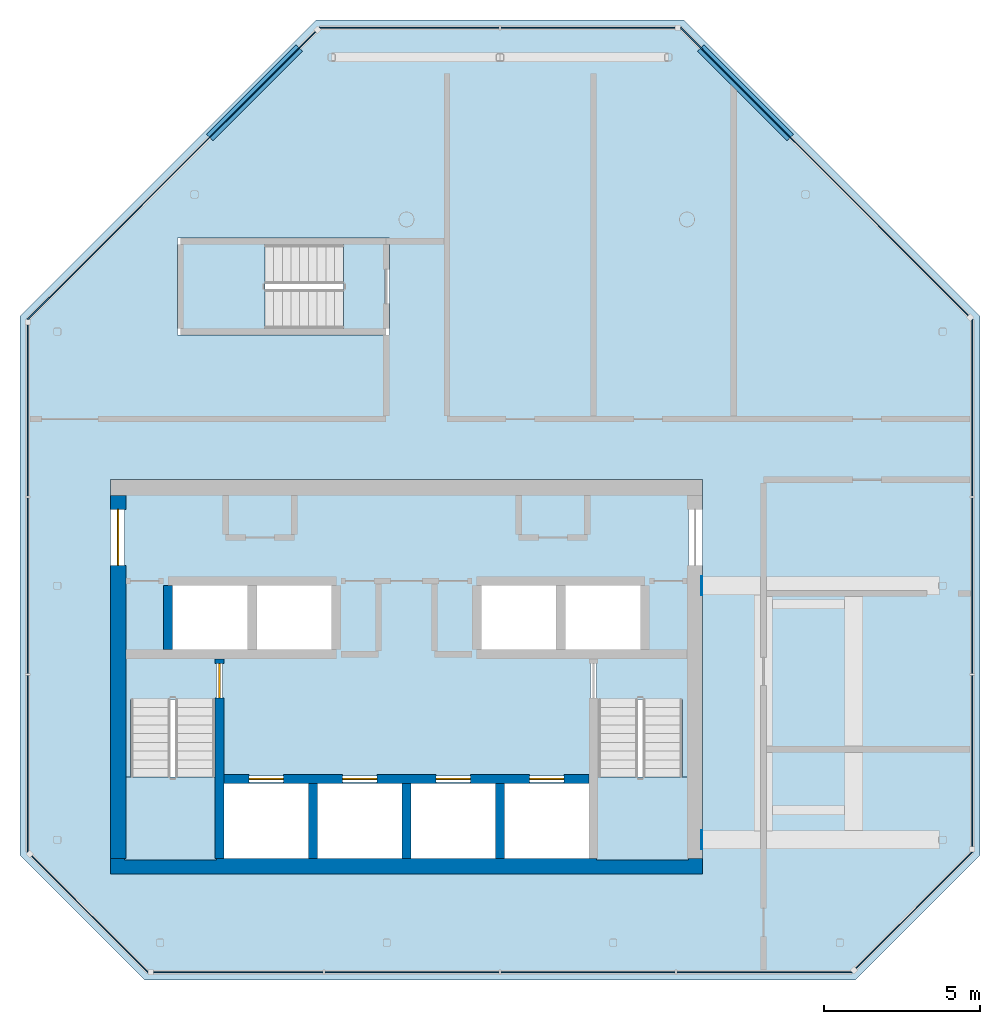
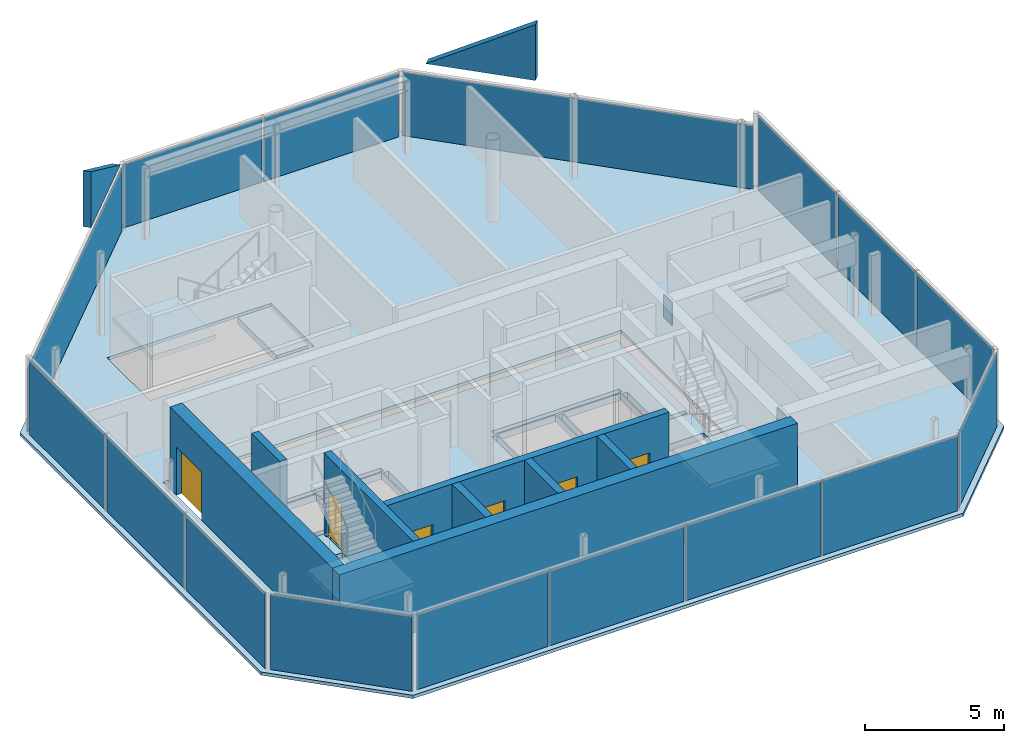
# One storey, part 4 of 7: 20 plates, 8 walls, 6 doors, 6 slabs, 6 openings, 11 elements without a shape of their own.
"""IFC4 building model written with IfcOpenShell, lengths in metres."""

from ifc_helpers import new_model, si_unit, direction, frame, frame_2d, origin, origin_2d, place, context, subcontext, project, spatial, polyline, rectangle, outline, extrude, material, layer, layer_set, material_profile, profile_set, type_object, element, fill, aggregate, save


model = new_model("IFC4")

# Units and contexts
model_context = context("Model", 3, precision=1e-05, world=origin(), true_north=direction((0.0, 1.0)))
body_context = subcontext(model_context, "Body", "Model", "MODEL_VIEW")
ifc_project = project(units=[si_unit("LENGTHUNIT", "METRE"), si_unit("AREAUNIT", "SQUARE_METRE"), si_unit("VOLUMEUNIT", "CUBIC_METRE"), si_unit("PLANEANGLEUNIT", "RADIAN"), si_unit("MASSUNIT", "GRAM", prefix="KILO")], contexts=[model_context])

# Site, building, storey
site_placement = place(None, origin())
site = spatial("IfcSite", under=ifc_project, at=site_placement, CompositionType="ELEMENT")
building_placement = place(site_placement, origin())
building = spatial("IfcBuilding", under=site, at=building_placement, Name="Tskaro Facet Tower", CompositionType="ELEMENT")
storey_placement = place(building_placement, frame((0.0, 0.0, 297.300048828125)))
storey = spatial("IfcBuildingStorey", under=building, at=storey_placement, Name="L80", CompositionType="ELEMENT", Elevation=297.300048828125)

# Slab
ifc_material_1 = material(Name="Concrete C30/37", Category="concrete")
ifc_layer_1 = layer(ifc_material_1, 0.139892578125, Name="Concrete C30/37")
ifc_layer_set_1 = layer_set([ifc_layer_1], Name="Concrete C30/37")
slab_type_1 = type_object("IfcSlabType", Name="Composite deck floor slab", PredefinedType="FLOOR", material=ifc_layer_set_1)
slab_1_placement = place(storey_placement, frame((0.0, 0.0, -0.14013671875)))
element("IfcSlab", 1, at=slab_1_placement, inside=storey, type_object=slab_type_1, Name="Floor slab L80", PredefinedType="FLOOR", context=body_context, shape_type="SweptSolid", body=[
    extrude(outline(polyline([(-12.39990234375, 5.89990234375), (-2.89990234375, 15.39990234375), (8.89990234375, 15.39990234375), (18.39990234375, 5.89990234375), (18.39990234375, -11.39990234375), (14.39990234375, -15.39990234375), (-8.39990234375, -15.39990234375), (-12.39990234375, -11.39990234375), (-12.39990234375, 5.89990234375)]), holes=[polyline([(9.5, 0.64990234375), (-9.5, 0.64990234375), (-9.5, -12.0), (9.5, -12.0), (9.5, 0.64990234375)]), polyline([(-0.550048828125, 5.300048828125), (-0.550048828125, 8.39990234375), (-7.35009765625, 8.39990234375), (-7.35009765625, 5.300048828125), (-0.550048828125, 5.300048828125)])]), origin(), (0.0, 0.0, 1.0), 0.14013671875),
])

# Plates
ifc_material_2 = material(Name="Bronze anodised aluminium cladding 5005-H34", Category="aluminium")
ifc_layer_2 = layer(ifc_material_2, 0.300048828125, Name="Bronze anodised aluminium cladding 5005-H34")
ifc_layer_set_2 = layer_set([ifc_layer_2], Name="Bronze anodised aluminium cladding 5005-H34")
plate_type_1 = type_object("IfcPlateType", Name="Crown cladding panel", PredefinedType="SHEET", material=ifc_layer_set_2)
plate_1_placement = place(storey_placement, frame((12.3173828125, 11.628662109375, 3.39990234375), z_axis=(0.0, 0.0, 1.0), x_axis=(-0.707106781187, 0.707106781187, 0.0)))
element("IfcPlate", 2, at=plate_1_placement, inside=storey, type_object=plate_type_1, Name="Crown cladding panel north-east L80", PredefinedType="SHEET", context=body_context, shape_type="SweptSolid", body=[
    extrude(outline(polyline([(0.0, 0.0), (4.06494140625, 0.0), (4.064697265625, 0.010009765625), (0.0, 2.452880859375), (0.0, 0.0)])), frame((0.0, 0.14990234375, 0.0), z_axis=(0.0, -1.0, 0.0), x_axis=(1.0, 0.0, 0.0)), (0.0, 0.0, 1.0), 0.300048828125),
])
plate_2_placement = place(storey_placement, frame((-3.443115234375, 14.5029296875, 3.39990234375), z_axis=(0.0, 0.0, 1.0), x_axis=(-0.707106781187, -0.707106781187, 0.0)))
element("IfcPlate", 3, at=plate_2_placement, inside=storey, type_object=plate_type_1, Name="Crown cladding panel north-west L80", PredefinedType="SHEET", context=body_context, shape_type="SweptSolid", body=[
    extrude(outline(polyline([(0.0, 0.0), (4.06494140625, 0.0), (4.064697265625, 2.452880859375), (0.0, 0.010009765625), (0.0, 0.0)])), frame((0.0, 0.14990234375, 0.0), z_axis=(0.0, -1.0, 0.0), x_axis=(1.0, 0.0, 0.0)), (0.0, 0.0, 1.0), 0.300048828125),
])

# Curtain wall, plates
ifc_material_3 = material(Name="Bronze anodised aluminium 6063-T6", Category="aluminium")
curtain_wall_type = type_object("IfcCurtainWallType", Name="Bronze crown curtain wall (FW5)", PredefinedType="NOTDEFINED", material=ifc_material_3)
curtain_wall_1_placement = place(storey_placement, origin())
curtain_wall_1 = element("IfcCurtainWall", 4, at=curtain_wall_1_placement, inside=storey, type_object=curtain_wall_type, Name="FW5 south facet L80", PredefinedType="NOTDEFINED")
ifc_material_4 = material(Name="Bronze reflective glass", Category="glass")
ifc_layer_3 = layer(ifc_material_4, 0.033935546875, Name="Bronze reflective glass")
ifc_layer_set_3 = layer_set([ifc_layer_3], Name="Bronze reflective glass")
plate_type_2 = type_object("IfcPlateType", Name="FW5 bronze-tinted unit glazing 34", PredefinedType="CURTAIN_PANEL", material=ifc_layer_set_3)
plate_3_placement = place(storey_placement, frame((-5.3994140625, -15.14990234375, 0.0), z_axis=(0.0, 0.0, 1.0), x_axis=(1.0, 0.0, 0.0)))
plate_3 = element("IfcPlate", 5, at=plate_3_placement, type_object=plate_type_2, Name="FW5 south glazing 1.1", PredefinedType="CURTAIN_PANEL", context=body_context, shape_type="SweptSolid", body=[
    extrude(rectangle(XDim=5.43310546875, YDim=0.033935546875, at=origin_2d()), origin(), (0.0, 0.0, 1.0), 3.2900390625),
])
plate_4_placement = place(storey_placement, frame((0.176025390625, -15.14990234375, 0.0), z_axis=(0.0, 0.0, 1.0), x_axis=(1.0, 0.0, 0.0)))
plate_4 = element("IfcPlate", 6, at=plate_4_placement, type_object=plate_type_2, Name="FW5 south glazing 2.1", PredefinedType="CURTAIN_PANEL", context=body_context, shape_type="SweptSolid", body=[
    extrude(rectangle(XDim=5.577880859375, YDim=0.033935546875, at=origin_2d()), origin(), (0.0, 0.0, 1.0), 3.2900390625),
])
plate_5_placement = place(storey_placement, frame((5.823974609375, -15.14990234375, 0.0), z_axis=(0.0, 0.0, 1.0), x_axis=(1.0, 0.0, 0.0)))
plate_5 = element("IfcPlate", 7, at=plate_5_placement, type_object=plate_type_2, Name="FW5 south glazing 3.1", PredefinedType="CURTAIN_PANEL", context=body_context, shape_type="SweptSolid", body=[
    extrude(rectangle(XDim=5.577880859375, YDim=0.033935546875, at=origin_2d()), origin(), (0.0, 0.0, 1.0), 3.2900390625),
])
plate_6_placement = place(storey_placement, frame((11.489501953125, -15.14990234375, 0.0), z_axis=(0.0, 0.0, 1.0), x_axis=(1.0, 0.0, 0.0)))
plate_6 = element("IfcPlate", 8, at=plate_6_placement, type_object=plate_type_2, Name="FW5 south glazing 4.1", PredefinedType="CURTAIN_PANEL", context=body_context, shape_type="SweptSolid", body=[
    extrude(rectangle(XDim=5.613037109375, YDim=0.033935546875, at=origin_2d()), origin(), (0.0, 0.0, 1.0), 3.2900390625),
])
aggregate(curtain_wall_1, [plate_3, plate_4, plate_5, plate_6])

# Curtain wall, plate
curtain_wall_2_placement = place(storey_placement, origin())
curtain_wall_2 = element("IfcCurtainWall", 9, at=curtain_wall_2_placement, inside=storey, type_object=curtain_wall_type, Name="FW5 south-east facet L80", PredefinedType="NOTDEFINED")
plate_7_placement = place(storey_placement, frame((16.28662109375, -13.159423828125, 0.0), z_axis=(0.0, 0.0, 1.0), x_axis=(0.707106781187, 0.707106781187, 0.0)))
plate_7 = element("IfcPlate", 10, at=plate_7_placement, type_object=plate_type_2, Name="FW5 south-east glazing 1.1", PredefinedType="CURTAIN_PANEL", context=body_context, shape_type="SweptSolid", body=[
    extrude(rectangle(XDim=5.270263671875, YDim=0.033935546875, at=origin_2d()), origin(), (0.0, 0.0, 1.0), 3.2900390625),
])
aggregate(curtain_wall_2, [plate_7])

# Curtain wall, plates
curtain_wall_3_placement = place(storey_placement, origin())
curtain_wall_3 = element("IfcCurtainWall", 11, at=curtain_wall_3_placement, inside=storey, type_object=curtain_wall_type, Name="FW5 east facet L80", PredefinedType="NOTDEFINED")
plate_8_placement = place(storey_placement, frame((18.14990234375, -8.374755859375, 0.0), z_axis=(0.0, 0.0, 1.0), x_axis=(0.0, 1.0, 0.0)))
plate_8 = element("IfcPlate", 12, at=plate_8_placement, type_object=plate_type_2, Name="FW5 east glazing 1.1", PredefinedType="CURTAIN_PANEL", context=body_context, shape_type="SweptSolid", body=[
    extrude(rectangle(XDim=5.482421875, YDim=0.033935546875, at=origin_2d()), origin(), (0.0, 0.0, 1.0), 3.2900390625),
])
plate_9_placement = place(storey_placement, frame((18.14990234375, -2.75, 0.0), z_axis=(0.0, 0.0, 1.0), x_axis=(0.0, 1.0, 0.0)))
plate_9 = element("IfcPlate", 13, at=plate_9_placement, type_object=plate_type_2, Name="FW5 east glazing 2.1", PredefinedType="CURTAIN_PANEL", context=body_context, shape_type="SweptSolid", body=[
    extrude(rectangle(XDim=5.62744140625, YDim=0.033935546875, at=origin_2d()), origin(), (0.0, 0.0, 1.0), 3.2900390625),
])
plate_10_placement = place(storey_placement, frame((18.14990234375, 2.96484375, 0.0), z_axis=(0.0, 0.0, 1.0), x_axis=(0.0, 1.0, 0.0)))
plate_10 = element("IfcPlate", 14, at=plate_10_placement, type_object=plate_type_2, Name="FW5 east glazing 3.1", PredefinedType="CURTAIN_PANEL", context=body_context, shape_type="SweptSolid", body=[
    extrude(rectangle(XDim=5.662353515625, YDim=0.033935546875, at=origin_2d()), origin(), (0.0, 0.0, 1.0), 3.2900390625),
])
aggregate(curtain_wall_3, [plate_8, plate_9, plate_10])

# Curtain wall, plate
curtain_wall_4_placement = place(storey_placement, origin())
curtain_wall_4 = element("IfcCurtainWall", 15, at=curtain_wall_4_placement, inside=storey, type_object=curtain_wall_type, Name="FW5 north-east facet L80", PredefinedType="NOTDEFINED")
plate_11_placement = place(storey_placement, frame((13.409423828125, 10.53662109375, 0.0), z_axis=(0.0, 0.0, 1.0), x_axis=(-0.707106781187, 0.707106781187, 0.0)))
plate_11 = element("IfcPlate", 16, at=plate_11_placement, type_object=plate_type_2, Name="FW5 north-east glazing 1.1", PredefinedType="CURTAIN_PANEL", context=body_context, shape_type="SweptSolid", body=[
    extrude(rectangle(XDim=13.048583984375, YDim=0.033935546875, at=origin_2d()), origin(), (0.0, 0.0, 1.0), 2.7900390625),
])
aggregate(curtain_wall_4, [plate_11])

# Curtain wall, plates
curtain_wall_5_placement = place(storey_placement, origin())
curtain_wall_5 = element("IfcCurtainWall", 17, at=curtain_wall_5_placement, inside=storey, type_object=curtain_wall_type, Name="FW5 north facet L80", PredefinedType="NOTDEFINED")
plate_12_placement = place(storey_placement, frame((5.825439453125, 15.14990234375, 0.0), z_axis=(0.0, 0.0, 1.0), x_axis=(-1.0, 0.0, 0.0)))
plate_12 = element("IfcPlate", 18, at=plate_12_placement, type_object=plate_type_2, Name="FW5 north glazing 1.1", PredefinedType="CURTAIN_PANEL", context=body_context, shape_type="SweptSolid", body=[
    extrude(rectangle(XDim=5.5810546875, YDim=0.033935546875, at=origin_2d()), origin(), (0.0, 0.0, 1.0), 2.7900390625),
])
plate_13_placement = place(storey_placement, frame((0.08447265625, 15.14990234375, 0.0), z_axis=(0.0, 0.0, 1.0), x_axis=(-1.0, 0.0, 0.0)))
plate_13 = element("IfcPlate", 19, at=plate_13_placement, type_object=plate_type_2, Name="FW5 north glazing 2.1", PredefinedType="CURTAIN_PANEL", context=body_context, shape_type="SweptSolid", body=[
    extrude(rectangle(XDim=5.760986328125, YDim=0.033935546875, at=origin_2d()), origin(), (0.0, 0.0, 1.0), 2.7900390625),
])
aggregate(curtain_wall_5, [plate_12, plate_13])

# Curtain wall, plate
curtain_wall_6_placement = place(storey_placement, origin())
curtain_wall_6 = element("IfcCurtainWall", 20, at=curtain_wall_6_placement, inside=storey, type_object=curtain_wall_type, Name="FW5 north-west facet L80", PredefinedType="NOTDEFINED")
plate_14_placement = place(storey_placement, frame((-7.53662109375, 10.409423828125, 0.0), z_axis=(0.0, 0.0, 1.0), x_axis=(-0.707106781187, -0.707106781187, 0.0)))
plate_14 = element("IfcPlate", 21, at=plate_14_placement, type_object=plate_type_2, Name="FW5 north-west glazing 1.1", PredefinedType="CURTAIN_PANEL", context=body_context, shape_type="SweptSolid", body=[
    extrude(rectangle(XDim=13.048583984375, YDim=0.033935546875, at=origin_2d()), origin(), (0.0, 0.0, 1.0), 2.7900390625),
])
aggregate(curtain_wall_6, [plate_14])

# Curtain wall, plates
curtain_wall_7_placement = place(storey_placement, origin())
curtain_wall_7 = element("IfcCurtainWall", 22, at=curtain_wall_7_placement, inside=storey, type_object=curtain_wall_type, Name="FW5 west facet L80", PredefinedType="NOTDEFINED")
plate_15_placement = place(storey_placement, frame((-12.14990234375, 2.874755859375, 0.0), z_axis=(0.0, 0.0, 1.0), x_axis=(0.0, -1.0, 0.0)))
plate_15 = element("IfcPlate", 23, at=plate_15_placement, type_object=plate_type_2, Name="FW5 west glazing 1.1", PredefinedType="CURTAIN_PANEL", context=body_context, shape_type="SweptSolid", body=[
    extrude(rectangle(XDim=5.482421875, YDim=0.033935546875, at=origin_2d()), origin(), (0.0, 0.0, 1.0), 3.2900390625),
])
plate_16_placement = place(storey_placement, frame((-12.14990234375, -2.75, 0.0), z_axis=(0.0, 0.0, 1.0), x_axis=(0.0, -1.0, 0.0)))
plate_16 = element("IfcPlate", 24, at=plate_16_placement, type_object=plate_type_2, Name="FW5 west glazing 2.1", PredefinedType="CURTAIN_PANEL", context=body_context, shape_type="SweptSolid", body=[
    extrude(rectangle(XDim=5.62744140625, YDim=0.033935546875, at=origin_2d()), origin(), (0.0, 0.0, 1.0), 3.2900390625),
])
plate_17_placement = place(storey_placement, frame((-12.14990234375, -8.46484375, 0.0), z_axis=(0.0, 0.0, 1.0), x_axis=(0.0, -1.0, 0.0)))
plate_17 = element("IfcPlate", 25, at=plate_17_placement, type_object=plate_type_2, Name="FW5 west glazing 3.1", PredefinedType="CURTAIN_PANEL", context=body_context, shape_type="SweptSolid", body=[
    extrude(rectangle(XDim=5.662353515625, YDim=0.033935546875, at=origin_2d()), origin(), (0.0, 0.0, 1.0), 3.2900390625),
])
aggregate(curtain_wall_7, [plate_15, plate_16, plate_17])

# Curtain wall, plate
curtain_wall_8_placement = place(storey_placement, origin())
curtain_wall_8 = element("IfcCurtainWall", 26, at=curtain_wall_8_placement, inside=storey, type_object=curtain_wall_type, Name="FW5 south-west facet L80", PredefinedType="NOTDEFINED")
plate_18_placement = place(storey_placement, frame((-10.159423828125, -13.28662109375, 0.0), z_axis=(0.0, 0.0, 1.0), x_axis=(0.707106781187, -0.707106781187, 0.0)))
plate_18 = element("IfcPlate", 27, at=plate_18_placement, type_object=plate_type_2, Name="FW5 south-west glazing 1.1", PredefinedType="CURTAIN_PANEL", context=body_context, shape_type="SweptSolid", body=[
    extrude(rectangle(XDim=5.270263671875, YDim=0.033935546875, at=origin_2d()), origin(), (0.0, 0.0, 1.0), 3.2900390625),
])
aggregate(curtain_wall_8, [plate_18])

# Plates
ifc_material_5 = material(Name="Steel S355J2", Category="steel")
ifc_material_profile = material_profile(ifc_material_5, rectangle(XDim=0.60009765625, YDim=1.0, at=origin_2d()), Name="PL 600x1000x30 end plate")
ifc_profile_set = profile_set([ifc_material_profile], Name="Steel S355J2")
plate_type_3 = type_object("IfcPlateType", Name="PL 600x1000x30 end plate", PredefinedType="SHEET", material=ifc_profile_set)
for number, where, z_axis, x_axis, name in (
    (28, (9.489990234375, -10.903076171875, 2.9599609375), (-1.0, 0.0, 0.0), (0.0, -1.0, 0.0), "End plate CP8-54"),
    (29, (9.489990234375, -2.75, 2.9599609375), (-1.0, 0.0, 0.0), (0.0, -1.0, 0.0), "End plate CP8-55"),
):
    element("IfcPlate", number, at=place(storey_placement, frame(where, z_axis=z_axis, x_axis=x_axis)), inside=storey, type_object=plate_type_3, Name=name, PredefinedType="SHEET", context=body_context, shape_type="SweptSolid", body=[
        extrude(rectangle(XDim=0.60009765625, YDim=1.0, at=origin_2d()), origin(), (0.0, 0.0, 1.0), 0.030029296875),
    ])

# Stair, slab
ifc_material_6 = material(Name="Concrete C40/50", Category="concrete")
stair_type = type_object("IfcStairType", Name="ST-TWR", PredefinedType="HALF_TURN_STAIR", material=ifc_material_6)
stair_1_placement = place(storey_placement, origin())
stair_1 = element("IfcStair", 30, at=stair_1_placement, inside=storey, type_object=stair_type, Name="L80 Exit stair 1", PredefinedType="HALF_TURN_STAIR")
ifc_layer_4 = layer(ifc_material_6, 0.199951171875, Name="Concrete C40/50")
ifc_layer_set_4 = layer_set([ifc_layer_4], Name="Concrete C40/50")
slab_type_2 = type_object("IfcSlabType", Name="SL-LANDING", PredefinedType="LANDING", material=ifc_layer_set_4)
slab_2_placement = place(storey_placement, frame((0.0, 0.0, 1.599853515625)))
slab_2 = element("IfcSlab", 31, at=slab_2_placement, type_object=slab_type_2, Name="ST-1 landing 1", PredefinedType="LANDING", context=body_context, shape_type="SweptSolid", body=[
    extrude(outline(polyline([(-9.050048828125, -11.550048828125), (-6.10009765625, -11.550048828125), (-6.10009765625, -8.89501953125), (-9.050048828125, -8.89501953125), (-9.050048828125, -11.550048828125)])), origin(), (0.0, 0.0, 1.0), 0.2001953125),
])
aggregate(stair_1, [slab_2])

stair_2_placement = place(storey_placement, origin())
stair_2 = element("IfcStair", 32, at=stair_2_placement, inside=storey, type_object=stair_type, Name="L80 Exit stair 2", PredefinedType="HALF_TURN_STAIR")
slab_3_placement = place(storey_placement, frame((0.0, 0.0, 1.599853515625)))
slab_3 = element("IfcSlab", 33, at=slab_3_placement, type_object=slab_type_2, Name="ST-2 landing 1", PredefinedType="LANDING", context=body_context, shape_type="SweptSolid", body=[
    extrude(outline(polyline([(6.10009765625, -11.550048828125), (9.050048828125, -11.550048828125), (9.050048828125, -8.89501953125), (6.10009765625, -8.89501953125), (6.10009765625, -11.550048828125)])), origin(), (0.0, 0.0, 1.0), 0.2001953125),
])
aggregate(stair_2, [slab_3])

stair_3_placement = place(storey_placement, origin())
stair_3 = element("IfcStair", 34, at=stair_3_placement, inside=storey, type_object=stair_type, Name="L80 Exit stair 3", PredefinedType="HALF_TURN_STAIR")
slab_4_placement = place(storey_placement, frame((0.0, 0.0, 1.599853515625)))
slab_4 = element("IfcSlab", 35, at=slab_4_placement, type_object=slab_type_2, Name="ST-3 landing 1", PredefinedType="LANDING", context=body_context, shape_type="SweptSolid", body=[
    extrude(outline(polyline([(-7.199951171875, 5.449951171875), (-4.544921875, 5.449951171875), (-4.544921875, 8.25), (-7.199951171875, 8.25), (-7.199951171875, 5.449951171875)])), origin(), (0.0, 0.0, 1.0), 0.2001953125),
])
aggregate(stair_3, [slab_4])

# Slabs
ifc_material_7 = material(Name="Concrete C60/75", Category="concrete")
ifc_layer_5 = layer(ifc_material_7, 0.300048828125, Name="Concrete C60/75")
ifc_layer_set_5 = layer_set([ifc_layer_5], Name="Concrete C60/75")
slab_type_3 = type_object("IfcSlabType", Name="SLAB-CORE", PredefinedType="FLOOR", material=ifc_layer_set_5)
slab_5_placement = place(storey_placement, frame((0.0, 0.0, -0.300048828125)))
element("IfcSlab", 36, at=slab_5_placement, inside=storey, type_object=slab_type_3, Name="Core floor slab 1", PredefinedType="FLOOR", context=body_context, shape_type="SweptSolid", body=[
    extrude(outline(polyline([(-9.050048828125, 0.199951171875), (9.050048828125, 0.199951171875), (9.050048828125, 0.10009765625), (9.050048828125, -11.449951171875), (9.050048828125, -11.550048828125), (-9.050048828125, -11.550048828125), (-9.050048828125, -11.449951171875), (-9.050048828125, 0.10009765625), (-9.050048828125, 0.199951171875)]), holes=[polyline([(-5.85009765625, -9.10009765625), (-5.85009765625, -11.5), (-3.14990234375, -11.5), (-3.14990234375, -9.10009765625), (-5.85009765625, -9.10009765625)]), polyline([(-3.10009765625, -11.449951171875), (-2.89990234375, -11.449951171875), (-2.89990234375, -9.14990234375), (-3.10009765625, -9.14990234375), (-3.10009765625, -11.449951171875)]), polyline([(-2.85009765625, -9.10009765625), (-2.85009765625, -11.5), (-0.14990234375, -11.5), (-0.14990234375, -9.10009765625), (-2.85009765625, -9.10009765625)]), polyline([(-6.10009765625, -11.449951171875), (-5.89990234375, -11.449951171875), (-5.89990234375, -5.14990234375), (-6.10009765625, -5.14990234375), (-6.10009765625, -11.449951171875)]), polyline([(-8.949951171875, -5.050048828125), (-2.300048828125, -5.050048828125), (-2.300048828125, -4.85009765625), (-8.949951171875, -4.85009765625), (-8.949951171875, -5.050048828125)]), polyline([(-7.75, -4.75), (-7.550048828125, -4.75), (-7.550048828125, -2.800048828125), (-7.75, -2.800048828125), (-7.75, -4.75)]), polyline([(-7.5, -4.800048828125), (-5.10009765625, -4.800048828125), (-5.10009765625, -2.75), (-7.5, -2.75), (-7.5, -4.800048828125)]), polyline([(-5.050048828125, -4.75), (-4.85009765625, -4.75), (-4.85009765625, -2.800048828125), (-5.050048828125, -2.800048828125), (-5.050048828125, -4.75)]), polyline([(-2.39990234375, -4.800048828125), (-2.39990234375, -2.75), (-4.800048828125, -2.75), (-4.800048828125, -4.800048828125), (-2.39990234375, -4.800048828125)]), polyline([(-2.35009765625, -4.75), (-2.14990234375, -4.75), (-2.14990234375, -2.800048828125), (-2.35009765625, -2.800048828125), (-2.35009765625, -4.75)]), polyline([(-7.60009765625, -2.699951171875), (-2.300048828125, -2.699951171875), (-2.300048828125, -2.5), (-7.60009765625, -2.5), (-7.60009765625, -2.699951171875)]), polyline([(-0.10009765625, -11.449951171875), (0.10009765625, -11.449951171875), (0.10009765625, -9.14990234375), (-0.10009765625, -9.14990234375), (-0.10009765625, -11.449951171875)]), polyline([(0.14990234375, -9.10009765625), (0.14990234375, -11.5), (2.85009765625, -11.5), (2.85009765625, -9.10009765625), (0.14990234375, -9.10009765625)]), polyline([(2.89990234375, -11.449951171875), (3.10009765625, -11.449951171875), (3.10009765625, -9.14990234375), (2.89990234375, -9.14990234375), (2.89990234375, -11.449951171875)]), polyline([(3.14990234375, -9.10009765625), (3.14990234375, -11.5), (5.85009765625, -11.5), (5.85009765625, -9.10009765625), (3.14990234375, -9.10009765625)]), polyline([(-5.800048828125, -9.050048828125), (5.800048828125, -9.050048828125), (5.800048828125, -8.85009765625), (-5.800048828125, -8.85009765625), (-5.800048828125, -9.050048828125)]), polyline([(5.89990234375, -11.449951171875), (6.10009765625, -11.449951171875), (6.10009765625, -5.14990234375), (5.89990234375, -5.14990234375), (5.89990234375, -11.449951171875)]), polyline([(2.300048828125, -5.050048828125), (8.949951171875, -5.050048828125), (8.949951171875, -4.85009765625), (2.300048828125, -4.85009765625), (2.300048828125, -5.050048828125)]), polyline([(2.14990234375, -4.75), (2.35009765625, -4.75), (2.35009765625, -2.800048828125), (2.14990234375, -2.800048828125), (2.14990234375, -4.75)]), polyline([(4.800048828125, -2.75), (2.39990234375, -2.75), (2.39990234375, -4.800048828125), (4.800048828125, -4.800048828125), (4.800048828125, -2.75)]), polyline([(4.85009765625, -4.75), (5.050048828125, -4.75), (5.050048828125, -2.800048828125), (4.85009765625, -2.800048828125), (4.85009765625, -4.75)]), polyline([(7.5, -2.75), (5.10009765625, -2.75), (5.10009765625, -4.800048828125), (7.5, -4.800048828125), (7.5, -2.75)]), polyline([(7.550048828125, -4.75), (7.75, -4.75), (7.75, -2.800048828125), (7.550048828125, -2.800048828125), (7.550048828125, -4.75)]), polyline([(2.300048828125, -2.699951171875), (7.60009765625, -2.699951171875), (7.60009765625, -2.5), (2.300048828125, -2.5), (2.300048828125, -2.699951171875)]), polyline([(-8.85009765625, -11.5), (-6.14990234375, -11.5), (-6.14990234375, -6.39501953125), (-8.85009765625, -6.39501953125), (-8.85009765625, -11.5)]), polyline([(6.14990234375, -6.39501953125), (6.14990234375, -11.5), (8.85009765625, -11.5), (8.85009765625, -6.39501953125), (6.14990234375, -6.39501953125)])]), origin(), (0.0, 0.0, 1.0), 0.300048828125),
])
slab_6_placement = place(storey_placement, frame((0.0, 0.0, -0.300048828125)))
element("IfcSlab", 37, at=slab_6_placement, inside=storey, type_object=slab_type_3, Name="Stair 3 floor landing 1", PredefinedType="FLOOR", context=body_context, shape_type="SweptSolid", body=[
    extrude(outline(polyline([(-2.02490234375, 5.449951171875), (-0.699951171875, 5.449951171875), (-0.699951171875, 8.25), (-2.02490234375, 8.25), (-2.02490234375, 5.449951171875)])), origin(), (0.0, 0.0, 1.0), 0.300048828125),
])

# Wall, openings, doors
ifc_layer_6 = layer(ifc_material_7, 0.300048828125, Name="Concrete C60/75")
ifc_layer_set_6 = layer_set([ifc_layer_6], Name="Concrete C60/75")
wall_type_1 = type_object("IfcWallType", Name="CORE-SHAFT", PredefinedType="SHEAR", material=ifc_layer_set_6)
wall_1_placement = place(storey_placement, frame((-5.85009765625, -8.949951171875, 0.0), z_axis=(0.0, 0.0, 1.0), x_axis=(1.0, 0.0, 0.0)))
wall_1 = element("IfcWall", 38, at=wall_1_placement, inside=storey, type_object=wall_type_1, Name="Shaft wall W001", PredefinedType="SHEAR", context=body_context, shape_type="SweptSolid", body=[
    extrude(rectangle(XDim=11.7001953125, YDim=0.300048828125, at=frame_2d((5.85009765625, 0.0))), origin(), (0.0, 0.0, 1.0), 3.599853515625),
])
opening_1_placement = place(wall_1_placement, frame((0.800048828125, 0.0, 0.0)))
opening_1 = element("IfcOpeningElement", 39, at=opening_1_placement, cuts=wall_1, Name="Opening LD-FF1", PredefinedType="OPENING", context=body_context, shape_type="SweptSolid", body=[
    extrude(rectangle(XDim=1.10009765625, YDim=2.10009765625, at=frame_2d((0.550048828125, 1.050048828125))), frame((0.0, 0.159912109375, 0.0), z_axis=(0.0, -1.0, 0.0), x_axis=(1.0, 0.0, 0.0)), (0.0, 0.0, 1.0), 0.320068359375),
])
opening_2_placement = place(wall_1_placement, frame((3.800048828125, 0.0, 0.0)))
opening_2 = element("IfcOpeningElement", 40, at=opening_2_placement, cuts=wall_1, Name="Opening LD-FF2", PredefinedType="OPENING", context=body_context, shape_type="SweptSolid", body=[
    extrude(rectangle(XDim=1.10009765625, YDim=2.10009765625, at=frame_2d((0.550048828125, 1.050048828125))), frame((0.0, 0.159912109375, 0.0), z_axis=(0.0, -1.0, 0.0), x_axis=(1.0, 0.0, 0.0)), (0.0, 0.0, 1.0), 0.320068359375),
])
opening_3_placement = place(wall_1_placement, frame((6.800048828125, 0.0, 0.0)))
opening_3 = element("IfcOpeningElement", 41, at=opening_3_placement, cuts=wall_1, Name="Opening LD-SV1", PredefinedType="OPENING", context=body_context, shape_type="SweptSolid", body=[
    extrude(rectangle(XDim=1.10009765625, YDim=2.10009765625, at=frame_2d((0.550048828125, 1.050048828125))), frame((0.0, 0.159912109375, 0.0), z_axis=(0.0, -1.0, 0.0), x_axis=(1.0, 0.0, 0.0)), (0.0, 0.0, 1.0), 0.320068359375),
])
opening_4_placement = place(wall_1_placement, frame((9.800048828125, 0.0, 0.0)))
opening_4 = element("IfcOpeningElement", 42, at=opening_4_placement, cuts=wall_1, Name="Opening LD-SV2", PredefinedType="OPENING", context=body_context, shape_type="SweptSolid", body=[
    extrude(rectangle(XDim=1.10009765625, YDim=2.10009765625, at=frame_2d((0.550048828125, 1.050048828125))), frame((0.0, 0.159912109375, 0.0), z_axis=(0.0, -1.0, 0.0), x_axis=(1.0, 0.0, 0.0)), (0.0, 0.0, 1.0), 0.320068359375),
])
ifc_material_8 = material(Name="Stainless steel", Category="steel")
door_type_1 = type_object("IfcDoorType", Name="D-LANDING", OperationType="NOTDEFINED", PredefinedType="DOOR", material=ifc_material_8)
door_1_placement = place(opening_1_placement, origin())
door_1 = element("IfcDoor", 43, at=door_1_placement, inside=storey, type_object=door_type_1, Name="Landing door FF1", OperationType="DOUBLE_DOOR_SLIDING", OverallHeight=2.10009765625, OverallWidth=1.10009765625, PredefinedType="DOOR", context=body_context, shape_type="SweptSolid", body=[
    extrude(rectangle(XDim=1.10009765625, YDim=2.10009765625, at=frame_2d((0.550048828125, 1.050048828125))), frame((0.0, 0.02490234375, 0.0), z_axis=(0.0, -1.0, 0.0), x_axis=(1.0, 0.0, 0.0)), (0.0, 0.0, 1.0), 0.050048828125),
])
fill(opening_1, door_1)
door_2_placement = place(opening_2_placement, origin())
door_2 = element("IfcDoor", 44, at=door_2_placement, inside=storey, type_object=door_type_1, Name="Landing door FF2", OperationType="DOUBLE_DOOR_SLIDING", OverallHeight=2.10009765625, OverallWidth=1.10009765625, PredefinedType="DOOR", context=body_context, shape_type="SweptSolid", body=[
    extrude(rectangle(XDim=1.10009765625, YDim=2.10009765625, at=frame_2d((0.550048828125, 1.050048828125))), frame((0.0, 0.02490234375, 0.0), z_axis=(0.0, -1.0, 0.0), x_axis=(1.0, 0.0, 0.0)), (0.0, 0.0, 1.0), 0.050048828125),
])
fill(opening_2, door_2)
door_3_placement = place(opening_3_placement, origin())
door_3 = element("IfcDoor", 45, at=door_3_placement, inside=storey, type_object=door_type_1, Name="Landing door SV1", OperationType="DOUBLE_DOOR_SLIDING", OverallHeight=2.10009765625, OverallWidth=1.10009765625, PredefinedType="DOOR", context=body_context, shape_type="SweptSolid", body=[
    extrude(rectangle(XDim=1.10009765625, YDim=2.10009765625, at=frame_2d((0.550048828125, 1.050048828125))), frame((0.0, 0.02490234375, 0.0), z_axis=(0.0, -1.0, 0.0), x_axis=(1.0, 0.0, 0.0)), (0.0, 0.0, 1.0), 0.050048828125),
])
fill(opening_3, door_3)
door_4_placement = place(opening_4_placement, origin())
door_4 = element("IfcDoor", 46, at=door_4_placement, inside=storey, type_object=door_type_1, Name="Landing door SV2", OperationType="DOUBLE_DOOR_SLIDING", OverallHeight=2.10009765625, OverallWidth=1.10009765625, PredefinedType="DOOR", context=body_context, shape_type="SweptSolid", body=[
    extrude(rectangle(XDim=1.10009765625, YDim=2.10009765625, at=frame_2d((0.550048828125, 1.050048828125))), frame((0.0, 0.02490234375, 0.0), z_axis=(0.0, -1.0, 0.0), x_axis=(1.0, 0.0, 0.0)), (0.0, 0.0, 1.0), 0.050048828125),
])
fill(opening_4, door_4)

# Wall
wall_2_placement = place(storey_placement, frame((-7.64990234375, -4.800048828125, 0.0), z_axis=(0.0, 0.0, 1.0), x_axis=(0.0, 1.0, 0.0)))
element("IfcWall", 47, at=wall_2_placement, inside=storey, type_object=wall_type_1, Name="Shaft wall W022", PredefinedType="SHEAR", context=body_context, shape_type="SweptSolid", body=[
    extrude(rectangle(XDim=2.050048828125, YDim=0.300048828125, at=frame_2d((1.02490234375, 0.0))), origin(), (0.0, 0.0, 1.0), 3.599853515625),
])

# Wall, opening, door
wall_3_placement = place(storey_placement, frame((-6.0, -11.5, 0.0), z_axis=(0.0, 0.0, 1.0), x_axis=(0.0, 1.0, 0.0)))
wall_3 = element("IfcWall", 48, at=wall_3_placement, inside=storey, type_object=wall_type_1, Name="Shaft wall W024", PredefinedType="SHEAR", context=body_context, shape_type="SweptSolid", body=[
    extrude(rectangle(XDim=6.39990234375, YDim=0.300048828125, at=frame_2d((3.199951171875, 0.0))), origin(), (0.0, 0.0, 1.0), 3.599853515625),
])
opening_5_placement = place(wall_3_placement, frame((5.14990234375, 0.0, 0.0)))
opening_5 = element("IfcOpeningElement", 49, at=opening_5_placement, cuts=wall_3, Name="Opening ST-1-D1", PredefinedType="OPENING", context=body_context, shape_type="SweptSolid", body=[
    extrude(rectangle(XDim=1.10009765625, YDim=2.10009765625, at=frame_2d((0.550048828125, 1.050048828125))), frame((0.0, 0.159912109375, 0.0), z_axis=(0.0, -1.0, 0.0), x_axis=(1.0, 0.0, 0.0)), (0.0, 0.0, 1.0), 0.320068359375),
])
ifc_material_9 = material(Name="Steel", Category="steel")
door_type_2 = type_object("IfcDoorType", Name="D-STAIR", OperationType="NOTDEFINED", PredefinedType="DOOR", material=ifc_material_9)
door_5_placement = place(opening_5_placement, origin())
door_5 = element("IfcDoor", 50, at=door_5_placement, inside=storey, type_object=door_type_2, Name="Stair door 1", OperationType="SINGLE_SWING_LEFT", OverallHeight=2.10009765625, OverallWidth=1.10009765625, PredefinedType="DOOR", context=body_context, shape_type="SweptSolid", body=[
    extrude(rectangle(XDim=1.10009765625, YDim=2.10009765625, at=frame_2d((0.550048828125, 1.050048828125))), frame((0.0, 0.02490234375, 0.0), z_axis=(0.0, -1.0, 0.0), x_axis=(1.0, 0.0, 0.0)), (0.0, 0.0, 1.0), 0.050048828125),
])
fill(opening_5, door_5)

# Walls
for number, where, z_axis, x_axis, name in (
    (51, (-3.0, -11.5, 0.0), (0.0, 0.0, 1.0), (0.0, 1.0, 0.0), "Shaft wall W028"),
    (52, (0.0, -11.5, 0.0), (0.0, 0.0, 1.0), (0.0, 1.0, 0.0), "Shaft wall W033"),
    (53, (3.0, -11.5, 0.0), (0.0, 0.0, 1.0), (0.0, 1.0, 0.0), "Shaft wall W037"),
):
    element("IfcWall", number, at=place(storey_placement, frame(where, z_axis=z_axis, x_axis=x_axis)), inside=storey, type_object=wall_type_1, Name=name, PredefinedType="SHEAR", context=body_context, shape_type="SweptSolid", body=[
        extrude(rectangle(XDim=2.39990234375, YDim=0.300048828125, at=frame_2d((1.199951171875, 0.0))), origin(), (0.0, 0.0, 1.0), 3.599853515625),
    ])
ifc_layer_7 = layer(ifc_material_6, 0.5, Name="Concrete C40/50")
ifc_layer_set_7 = layer_set([ifc_layer_7], Name="Concrete C40/50")
wall_type_2 = type_object("IfcWallType", Name="Core wall 500", PredefinedType="SHEAR", material=ifc_layer_set_7)
wall_4_placement = place(storey_placement, frame((-9.5, -11.75, 0.0), z_axis=(0.0, 0.0, 1.0), x_axis=(1.0, 0.0, 0.0)))
element("IfcWall", 54, at=wall_4_placement, inside=storey, type_object=wall_type_2, Name="Core wall CW-Z3S", PredefinedType="SHEAR", context=body_context, shape_type="SweptSolid", body=[
    extrude(outline(polyline([(0.0, 0.0), (19.0, 0.0), (19.0, 3.599853515625), (0.0, 3.599853515625), (0.0, 0.0)])), frame((0.0, 0.25, 0.0), z_axis=(0.0, -1.0, 0.0), x_axis=(1.0, 0.0, 0.0)), (0.0, 0.0, 1.0), 0.5),
])

# Wall, opening, door
wall_5_placement = place(storey_placement, frame((-9.25, -11.5, 0.0), z_axis=(0.0, 0.0, 1.0), x_axis=(0.0, 1.0, 0.0)))
wall_5 = element("IfcWall", 55, at=wall_5_placement, inside=storey, type_object=wall_type_2, Name="Core wall CW-Z3W", PredefinedType="SHEAR", context=body_context, shape_type="SweptSolid", body=[
    extrude(outline(polyline([(0.0, 0.0), (11.64990234375, 0.0), (11.64990234375, 3.599853515625), (0.0, 3.599853515625), (0.0, 0.0)])), frame((0.0, 0.25, 0.0), z_axis=(0.0, -1.0, 0.0), x_axis=(1.0, 0.0, 0.0)), (0.0, 0.0, 1.0), 0.5),
])
opening_6_placement = place(wall_5_placement, frame((9.39990234375, 0.0, 0.0)))
opening_6 = element("IfcOpeningElement", 56, at=opening_6_placement, cuts=wall_5, Name="Opening C80-D07", PredefinedType="OPENING", context=body_context, shape_type="SweptSolid", body=[
    extrude(rectangle(XDim=1.800048828125, YDim=2.10009765625, at=frame_2d((0.89990234375, 1.050048828125))), frame((0.0, 0.260009765625, 0.0), z_axis=(0.0, -1.0, 0.0), x_axis=(1.0, 0.0, 0.0)), (0.0, 0.0, 1.0), 0.52001953125),
])
door_type_3 = type_object("IfcDoorType", Name="D-CORE-PAIR", OperationType="NOTDEFINED", PredefinedType="DOOR", material=ifc_material_9)
door_6_placement = place(opening_6_placement, origin())
door_6 = element("IfcDoor", 57, at=door_6_placement, inside=storey, type_object=door_type_3, Name="Door C80-D07", OperationType="DOUBLE_DOOR_SINGLE_SWING", OverallHeight=2.10009765625, OverallWidth=1.800048828125, PredefinedType="DOOR", context=body_context, shape_type="SweptSolid", body=[
    extrude(rectangle(XDim=1.800048828125, YDim=2.10009765625, at=frame_2d((0.89990234375, 1.050048828125))), frame((0.0, 0.02490234375, 0.0), z_axis=(0.0, -1.0, 0.0), x_axis=(1.0, 0.0, 0.0)), (0.0, 0.0, 1.0), 0.050048828125),
])
fill(opening_6, door_6)

save(model, "model.ifc")
